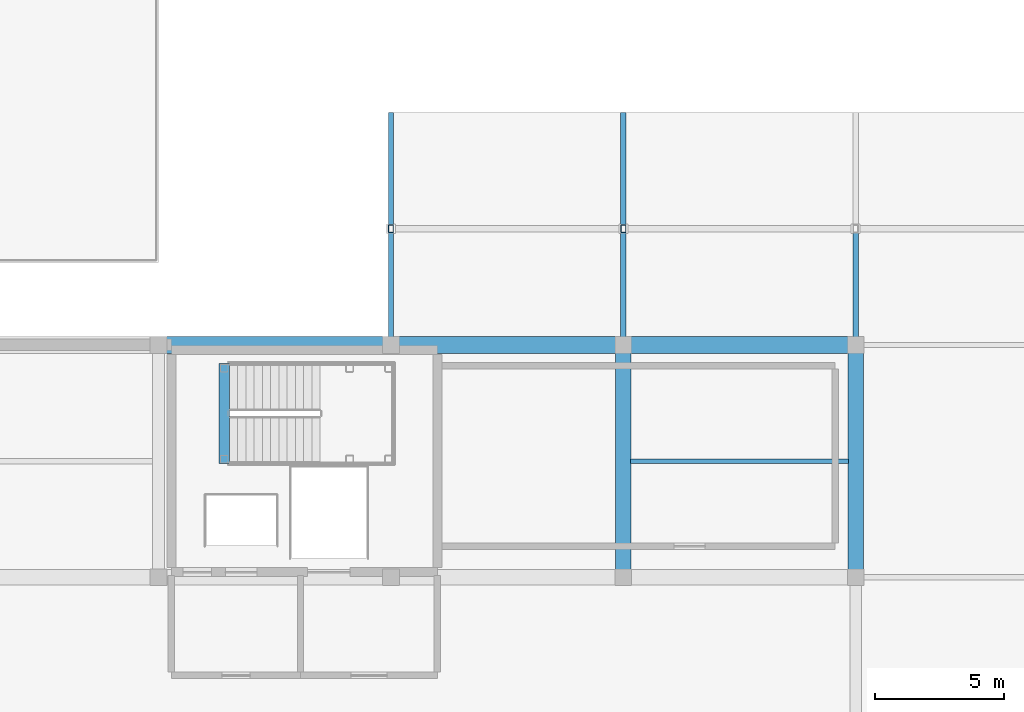
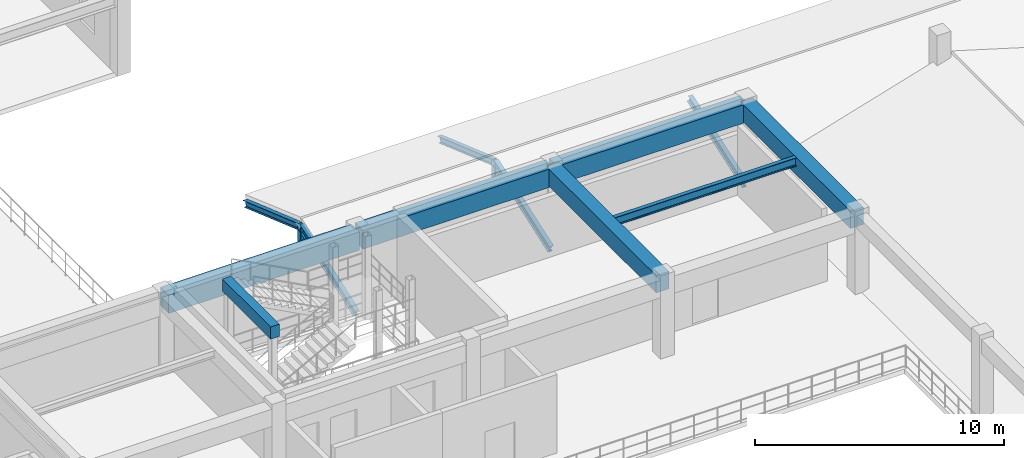
# One storey, part 54 of 80: 7 beams, 7 members.
"""IFC4 building model written with IfcOpenShell, lengths in metres."""

from ifc_helpers import new_model, si_unit, direction, frame, origin, origin_2d, place, context, subcontext, project, spatial, rectangle, hollow_rectangle, i_section, extrude, material, material_profile, profile_set, type_object, element, save


model = new_model("IFC4")

# Units and contexts
model_context = context("Model", 3, precision=1e-05, world=origin(), true_north=direction((0.0, 1.0)))
body_context = subcontext(model_context, "Body", "Model", "MODEL_VIEW")
ifc_project = project(units=[si_unit("LENGTHUNIT", "METRE"), si_unit("AREAUNIT", "SQUARE_METRE"), si_unit("VOLUMEUNIT", "CUBIC_METRE"), si_unit("PLANEANGLEUNIT", "RADIAN"), si_unit("MASSUNIT", "GRAM", prefix="KILO")], contexts=[model_context])

# Site, building, storey
site_placement = place(None, origin())
site = spatial("IfcSite", under=ifc_project, at=site_placement, CompositionType="ELEMENT")
building_placement = place(site_placement, origin())
building = spatial("IfcBuilding", under=site, at=building_placement, Name="Miravela Opera House", CompositionType="ELEMENT")
storey_placement = place(building_placement, frame((0.0, 0.0, 17.679931640625)))
storey = spatial("IfcBuildingStorey", under=building, at=storey_placement, Name="L04", CompositionType="ELEMENT", Elevation=17.679931640625)

# Beams
ifc_material_1 = material(Name="Concrete C35/45", Category="concrete")
ifc_material_profile_1 = material_profile(ifc_material_1, rectangle(XDim=0.39990234375, YDim=0.60009765625, at=origin_2d()), Name="RC-BM-400X600")
ifc_profile_set_1 = profile_set([ifc_material_profile_1])
beam_type_1 = type_object("IfcBeamType", Name="STR-BM-RC400X600", PredefinedType="JOIST", material=ifc_profile_set_1)
beam_1_placement = place(storey_placement, frame((110.5400390625, 70.39990234375, 3.780029296875), z_axis=(0.0, 1.0, 0.0), x_axis=(-1.0, 0.0, 0.0)))
element("IfcBeam", 1, at=beam_1_placement, inside=storey, type_object=beam_type_1, Name="Stair K3 Opening Header Trimmer Beam 05", PredefinedType="JOIST", context=body_context, shape_type="SweptSolid", body=[
    extrude(rectangle(XDim=0.39990234375, YDim=0.60009765625, at=origin_2d()), origin(), (0.0, 0.0, 1.0), 3.880126953125),
])
ifc_material_2 = material(Name="Concrete C40/50", Category="concrete")
ifc_material_profile_2 = material_profile(ifc_material_2, rectangle(XDim=0.60009765625, YDim=0.85009765625, at=origin_2d()), Name="RC-BM-600X850")
ifc_profile_set_2 = profile_set([ifc_material_profile_2])
beam_type_2 = type_object("IfcBeamType", Name="STR-BM-RC600X850", PredefinedType="BEAM", material=ifc_profile_set_2)
for number, where, z_axis, x_axis, name in (
    (2, (126.0, 66.080078125, 3.4150390625), (0.0, 1.0, 0.0), (-1.0, 0.0, 0.0), "Floor Girder L04 15/H-I"),
    (3, (135.0, 66.080078125, 3.4150390625), (0.0, 1.0, 0.0), (-1.0, 0.0, 0.0), "Floor Girder L04 16/H-I"),
):
    element("IfcBeam", number, at=place(storey_placement, frame(where, z_axis=z_axis, x_axis=x_axis)), inside=storey, type_object=beam_type_2, Name=name, PredefinedType="BEAM", context=body_context, shape_type="SweptSolid", body=[
        extrude(rectangle(XDim=0.60009765625, YDim=0.85009765625, at=origin_2d()), origin(), (0.0, 0.0, 1.0), 8.83984375),
    ])
ifc_material_profile_3 = material_profile(ifc_material_2, rectangle(XDim=0.64990234375, YDim=0.89990234375, at=origin_2d()), Name="RC-BM-650X900")
ifc_profile_set_3 = profile_set([ifc_material_profile_3])
beam_type_3 = type_object("IfcBeamType", Name="STR-BM-RC650X900", PredefinedType="BEAM", material=ifc_profile_set_3)
for number, where, z_axis, x_axis, name in (
    (4, (108.080078125, 75.0, 3.39013671875), (1.0, 0.0, 0.0), (0.0, 1.0, 0.0), "Floor Girder L04 13-14/I"),
    (5, (117.080078125, 75.0, 3.39013671875), (1.0, 0.0, 0.0), (0.0, 1.0, 0.0), "Floor Girder L04 14-15/I"),
    (6, (126.080078125, 75.0, 3.39013671875), (1.0, 0.0, 0.0), (0.0, 1.0, 0.0), "Floor Girder L04 15-16/I"),
):
    element("IfcBeam", number, at=place(storey_placement, frame(where, z_axis=z_axis, x_axis=x_axis)), inside=storey, type_object=beam_type_3, Name=name, PredefinedType="BEAM", context=body_context, shape_type="SweptSolid", body=[
        extrude(rectangle(XDim=0.64990234375, YDim=0.89990234375, at=origin_2d()), origin(), (0.0, 0.0, 1.0), 8.83984375),
    ])
ifc_material_3 = material(Name="Structural steel ASTM A992 Gr. 50", Category="steel")
ifc_material_profile_4 = material_profile(ifc_material_3, i_section(OverallWidth=0.180908203125, OverallDepth=0.4169921875, WebThickness=0.010986328125, FlangeThickness=0.018310546875, FilletRadius=0.013916015625, at=origin_2d()), Name="W410X85")
ifc_profile_set_4 = profile_set([ifc_material_profile_4])
beam_type_4 = type_object("IfcBeamType", Name="STR-BM-W410X85", PredefinedType="JOIST", material=ifc_profile_set_4)
beam_2_placement = place(storey_placement, frame((126.284912109375, 70.5, 3.631591796875), z_axis=(1.0, 0.0, 0.0), x_axis=(0.0, 1.0, 0.0)))
element("IfcBeam", 7, at=beam_2_placement, inside=storey, type_object=beam_type_4, Name="Secondary Floor Joist L04 15-16/H-I", PredefinedType="JOIST", context=body_context, shape_type="SweptSolid", body=[
    extrude(i_section(OverallWidth=0.180908203125, OverallDepth=0.4169921875, WebThickness=0.010986328125, FlangeThickness=0.018310546875, FilletRadius=0.013916015625, at=origin_2d()), origin(), (0.0, 0.0, 1.0), 8.43017578125),
])

# Members
ifc_material_4 = material(Name="Hollow structural steel ASTM A500 Gr. C", Category="steel")
ifc_material_profile_5 = material_profile(ifc_material_4, hollow_rectangle(XDim=0.199951171875, YDim=0.300048828125, WallThickness=0.011962890625, InnerFilletRadius=0.011962890625, OuterFilletRadius=0.02392578125, at=origin_2d()), Name="HSS300X200X12")
ifc_profile_set_5 = profile_set([ifc_material_profile_5])
member_type_1 = type_object("IfcMemberType", Name="STR-MEM-POST-HSS300X200", PredefinedType="POST", material=ifc_profile_set_5)
for number, where, z_axis, x_axis, name in (
    (8, (117.0, 79.5, -0.25), (0.0, 0.0, 1.0), (1.0, 0.0, 0.0), "Roof Gable King Post ROOF-V3-EAST-S W"),
    (9, (126.0, 79.5, -0.25), (0.0, 0.0, 1.0), (1.0, 0.0, 0.0), "Roof Ridge Support Post ROOF-V3-EAST-S M1"),
):
    element("IfcMember", number, at=place(storey_placement, frame(where, z_axis=z_axis, x_axis=x_axis)), inside=storey, type_object=member_type_1, Name=name, PredefinedType="POST", context=body_context, shape_type="SweptSolid", body=[
        extrude(hollow_rectangle(XDim=0.199951171875, YDim=0.300048828125, WallThickness=0.011962890625, InnerFilletRadius=0.011962890625, OuterFilletRadius=0.02392578125, at=origin_2d()), origin(), (0.0, 0.0, 1.0), 1.510009765625),
    ])
ifc_material_profile_6 = material_profile(ifc_material_3, i_section(OverallWidth=0.2041015625, OverallDepth=0.35009765625, WebThickness=0.008544921875, FlangeThickness=0.01513671875, FilletRadius=0.013916015625, at=origin_2d()), Name="W360X72")
ifc_profile_set_6 = profile_set([ifc_material_profile_6])
member_type_2 = type_object("IfcMemberType", Name="STR-MEM-RAFTER-1", PredefinedType="RAFTER", material=ifc_profile_set_6)
for number, where, z_axis, x_axis, name in (
    (10, (117.0, 75.050048828125, -0.39990234375), (0.0, 0.943687918104, 0.3308369889), (-1.0, 0.0, 0.0), "Pitched Roof Rafter ROOF-V3-EAST-S S0"),
    (11, (126.0, 75.050048828125, -0.39990234375), (0.0, 0.943687918104, 0.3308369889), (-1.0, 0.0, 0.0), "Pitched Roof Rafter ROOF-V3-EAST-S S1"),
    (12, (135.0, 75.050048828125, -0.39990234375), (0.0, 0.943687918104, 0.3308369889), (-1.0, 0.0, 0.0), "Pitched Roof Rafter ROOF-V3-EAST-S S2"),
):
    element("IfcMember", number, at=place(storey_placement, frame(where, z_axis=z_axis, x_axis=x_axis)), inside=storey, type_object=member_type_2, Name=name, PredefinedType="RAFTER", context=body_context, shape_type="SweptSolid", body=[
        extrude(i_section(OverallWidth=0.2041015625, OverallDepth=0.35009765625, WebThickness=0.008544921875, FlangeThickness=0.01513671875, FilletRadius=0.013916015625, at=origin_2d()), origin(), (0.0, 0.0, 1.0), 4.715576171875),
    ])
ifc_material_profile_7 = material_profile(ifc_material_3, i_section(OverallWidth=0.202880859375, OverallDepth=0.302978515625, WebThickness=0.007568359375, FlangeThickness=0.01318359375, FilletRadius=0.012939453125, at=origin_2d()), Name="W310X60")
ifc_profile_set_7 = profile_set([ifc_material_profile_7])
member_type_3 = type_object("IfcMemberType", Name="STR-MEM-RAFTER-2", PredefinedType="RAFTER", material=ifc_profile_set_7)
for number, where, z_axis, x_axis, name in (
    (13, (117.0, 83.949951171875, -0.39990234375), (0.0, -0.943687918104, 0.3308369889), (1.0, 0.0, 0.0), "Pitched Roof Rafter ROOF-V3-EAST-S N0"),
    (14, (126.0, 83.949951171875, -0.39990234375), (0.0, -0.943687918104, 0.3308369889), (1.0, 0.0, 0.0), "Pitched Roof Rafter ROOF-V3-EAST-S N1"),
):
    element("IfcMember", number, at=place(storey_placement, frame(where, z_axis=z_axis, x_axis=x_axis)), inside=storey, type_object=member_type_3, Name=name, PredefinedType="RAFTER", context=body_context, shape_type="SweptSolid", body=[
        extrude(i_section(OverallWidth=0.202880859375, OverallDepth=0.302978515625, WebThickness=0.007568359375, FlangeThickness=0.01318359375, FilletRadius=0.012939453125, at=origin_2d()), origin(), (0.0, 0.0, 1.0), 4.715576171875),
    ])

save(model, "model.ifc")
